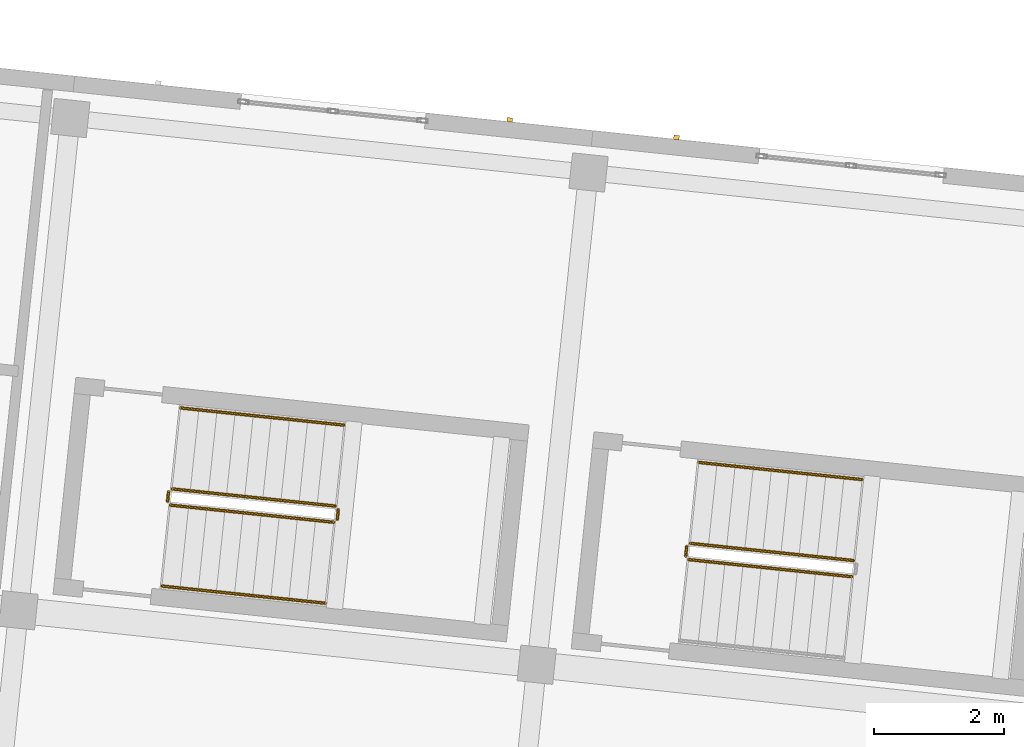
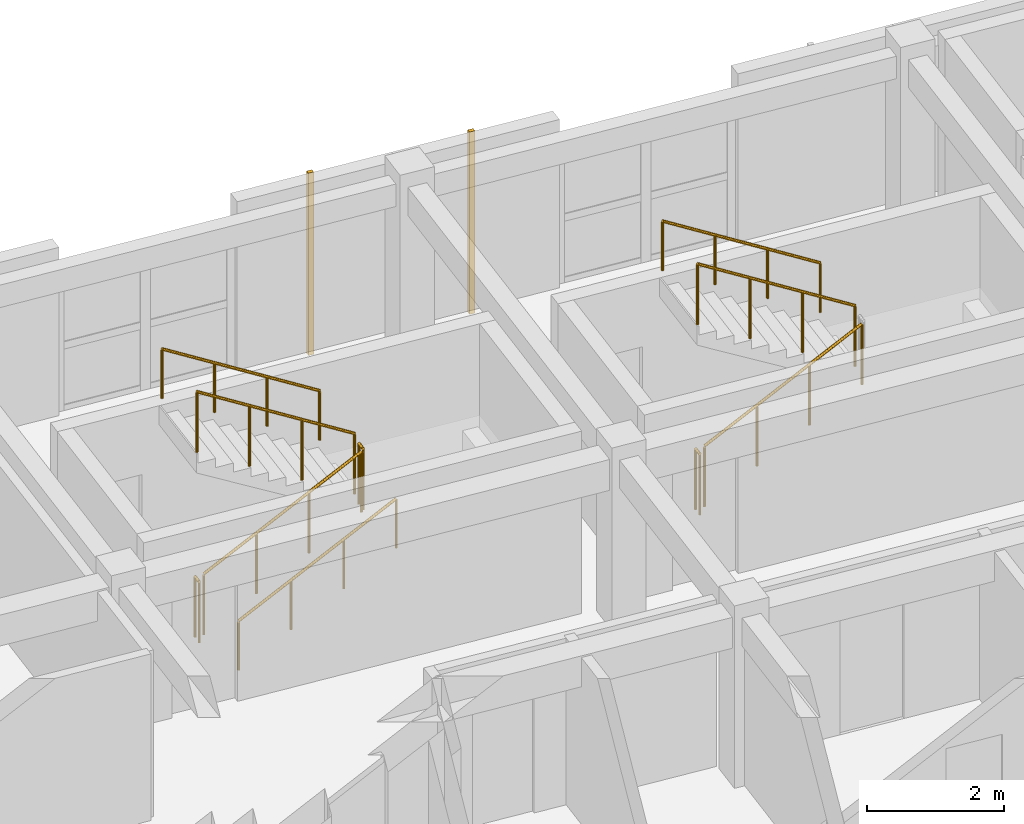
# One storey, part 124 of 127: 10 railings, 2 coverings.
"""IFC4 building model written with IfcOpenShell, lengths in metres."""

from ifc_helpers import new_model, si_unit, direction, frame, origin, origin_2d, place, context, subcontext, project, spatial, rectangle, circle, extrude, material, layer, layer_set, type_object, element, save


model = new_model("IFC4")

# Units and contexts
model_context = context("Model", 3, precision=1e-05, world=origin(), true_north=direction((0.0, 1.0)))
body_context = subcontext(model_context, "Body", "Model", "MODEL_VIEW")
ifc_project = project(units=[si_unit("LENGTHUNIT", "METRE"), si_unit("AREAUNIT", "SQUARE_METRE"), si_unit("VOLUMEUNIT", "CUBIC_METRE"), si_unit("PLANEANGLEUNIT", "RADIAN"), si_unit("MASSUNIT", "GRAM", prefix="KILO")], contexts=[model_context])

# Site, building, storey
site_placement = place(None, origin())
site = spatial("IfcSite", under=ifc_project, at=site_placement, CompositionType="ELEMENT")
building_placement = place(site_placement, origin())
building = spatial("IfcBuilding", under=site, at=building_placement, Name="Kestramere Prow Commons", CompositionType="ELEMENT")
storey_placement = place(building_placement, frame((0.0, 0.0, 8.39990234375)))
storey = spatial("IfcBuildingStorey", under=building, at=storey_placement, Name="L02", CompositionType="ELEMENT", Elevation=8.39990234375)

# Coverings
ifc_material_1 = material(Name="Weathered Zinc-Titanium Standing-Seam Cladding")
ifc_layer = layer(ifc_material_1, 0.074951171875)
ifc_layer_set = layer_set([ifc_layer], Name="Weathered Zinc-Titanium Standing-Seam Cladding")
covering_type = type_object("IfcCoveringType", Name="COV-CLAD-SEAM", PredefinedType="CLADDING", material=ifc_layer_set)
for number, where, z_axis, x_axis, name in (
    (1, (142.663818359375, 111.756103515625, -0.25), (0.0, 0.0, 1.0), (0.994521895368, -0.104528463268, 0.0), "EW-B-L02-NP-3-R Standing-Seam Rib 1"),
    (2, (145.224609375, 111.48681640625, -0.25), (0.0, 0.0, 1.0), (0.994521895368, -0.104528463268, 0.0), "EW-B-L02-NP-4-L Standing-Seam Rib 1"),
):
    element("IfcCovering", number, at=place(storey_placement, frame(where, z_axis=z_axis, x_axis=x_axis)), inside=storey, type_object=covering_type, Name=name, PredefinedType="CLADDING", context=body_context, shape_type="SweptSolid", body=[
        extrude(rectangle(XDim=0.0849609375, YDim=0.06494140625, at=origin_2d()), origin(), (0.0, 0.0, 1.0), 3.25),
    ])

# Railings
ifc_material_2 = material(Name="Galvanised Steel S275JR", Category="steel")
railing_type_1 = type_object("IfcRailingType", Name="RL-ST-GR-1100", PredefinedType="GUARDRAIL", material=ifc_material_2)
railing_1_placement = place(storey_placement, frame((137.454345703125, 105.8408203125, 0.16259765625)))
element("IfcRailing", 3, at=railing_1_placement, inside=storey, type_object=railing_type_1, Name="L02 ST-B1 stair guard 1", PredefinedType="GUARDRAIL", context=body_context, shape_type="SweptSolid", body=[
    extrude(circle(Radius=0.02392578125, at=origin_2d()), frame((0.0, 0.0, 1.076171875), z_axis=(0.860186756994, -0.09040926464, 0.501901293044), x_axis=(0.104528455675, 0.994521896166, 0.0)), (0.0, 0.0, 1.0), 2.913818359375),
    extrude(circle(Radius=0.02099609375, at=origin_2d()), origin(), (0.0, 0.0, 1.0), 1.052001953125),
    extrude(circle(Radius=0.02099609375, at=origin_2d()), frame((0.83544921875, -0.087890625, 0.487548828125)), (0.0, 0.0, 1.0), 1.052001953125),
    extrude(circle(Radius=0.02099609375, at=origin_2d()), frame((1.6708984375, -0.175537109375, 0.974853515625)), (0.0, 0.0, 1.0), 1.052001953125),
    extrude(circle(Radius=0.02099609375, at=origin_2d()), frame((2.50634765625, -0.263427734375, 1.46240234375)), (0.0, 0.0, 1.0), 1.052001953125),
])
railing_2_placement = place(storey_placement, frame((140.015625, 105.621826171875, 1.625)))
element("IfcRailing", 4, at=railing_2_placement, inside=storey, type_object=railing_type_1, Name="L02 ST-B1 stair guard 2", PredefinedType="GUARDRAIL", context=body_context, shape_type="SweptSolid", body=[
    extrude(circle(Radius=0.02392578125, at=origin_2d()), frame((0.0, 0.0, 1.076171875), z_axis=(0.104176375855, 0.994558838236, 0.0), x_axis=(-0.994558838236, 0.104176375855, 0.0)), (0.0, 0.0, 1.0), 0.14990234375),
    extrude(circle(Radius=0.02099609375, at=origin_2d()), origin(), (0.0, 0.0, 1.0), 1.052001953125),
    extrude(circle(Radius=0.02099609375, at=origin_2d()), frame((0.015625, 0.149169921875, 0.0)), (0.0, 0.0, 1.0), 1.052001953125),
])
railing_3_placement = place(storey_placement, frame((139.98681640625, 105.825927734375, 1.78759765625)))
element("IfcRailing", 5, at=railing_3_placement, inside=storey, type_object=railing_type_1, Name="L02 ST-B1 stair guard 3", PredefinedType="GUARDRAIL", context=body_context, shape_type="SweptSolid", body=[
    extrude(circle(Radius=0.02392578125, at=origin_2d()), frame((0.0, 0.0, 1.076171875), z_axis=(-0.860164962675, 0.090415781269, 0.501937469695), x_axis=(-0.104538527394, -0.994520837534, 0.0)), (0.0, 0.0, 1.0), 2.91357421875),
    extrude(circle(Radius=0.02099609375, at=origin_2d()), origin(), (0.0, 0.0, 1.0), 1.052001953125),
    extrude(circle(Radius=0.02099609375, at=origin_2d()), frame((-0.83544921875, 0.087890625, 0.487548828125)), (0.0, 0.0, 1.0), 1.052001953125),
    extrude(circle(Radius=0.02099609375, at=origin_2d()), frame((-1.670654296875, 0.175537109375, 0.974853515625)), (0.0, 0.0, 1.0), 1.052001953125),
    extrude(circle(Radius=0.02099609375, at=origin_2d()), frame((-2.506103515625, 0.263427734375, 1.46240234375)), (0.0, 0.0, 1.0), 1.052001953125),
])
railing_4_placement = place(storey_placement, frame((137.409912109375, 105.895751953125, 0.0)))
element("IfcRailing", 6, at=railing_4_placement, inside=storey, type_object=railing_type_1, Name="L02 ST-B1 stair guard 4", PredefinedType="GUARDRAIL", context=body_context, shape_type="SweptSolid", body=[
    extrude(circle(Radius=0.02392578125, at=origin_2d()), frame((0.0, 0.0, 1.076171875), z_axis=(0.104176375855, 0.994558838236, 0.0), x_axis=(-0.994558838236, 0.104176375855, 0.0)), (0.0, 0.0, 1.0), 0.14990234375),
    extrude(circle(Radius=0.02099609375, at=origin_2d()), origin(), (0.0, 0.0, 1.0), 1.052001953125),
    extrude(circle(Radius=0.02099609375, at=origin_2d()), frame((0.015625, 0.149169921875, 0.0)), (0.0, 0.0, 1.0), 1.052001953125),
])
railing_5_placement = place(storey_placement, frame((145.41064453125, 105.00439453125, 0.16259765625)))
element("IfcRailing", 7, at=railing_5_placement, inside=storey, type_object=railing_type_1, Name="L02 ST-B2 stair guard 1", PredefinedType="GUARDRAIL", context=body_context, shape_type="SweptSolid", body=[
    extrude(circle(Radius=0.02392578125, at=origin_2d()), frame((0.0, 0.0, 1.076171875), z_axis=(0.860164962675, -0.090415781269, 0.501937469695), x_axis=(0.104538527394, 0.994520837534, 0.0)), (0.0, 0.0, 1.0), 2.91357421875),
    extrude(circle(Radius=0.02099609375, at=origin_2d()), origin(), (0.0, 0.0, 1.0), 1.052001953125),
    extrude(circle(Radius=0.02099609375, at=origin_2d()), frame((0.83544921875, -0.087890625, 0.487548828125)), (0.0, 0.0, 1.0), 1.052001953125),
    extrude(circle(Radius=0.02099609375, at=origin_2d()), frame((1.670654296875, -0.175537109375, 0.974853515625)), (0.0, 0.0, 1.0), 1.052001953125),
    extrude(circle(Radius=0.02099609375, at=origin_2d()), frame((2.506103515625, -0.263427734375, 1.46240234375)), (0.0, 0.0, 1.0), 1.052001953125),
])
railing_6_placement = place(storey_placement, frame((147.94287109375, 104.98974609375, 1.78759765625)))
element("IfcRailing", 8, at=railing_6_placement, inside=storey, type_object=railing_type_1, Name="L02 ST-B2 stair guard 3", PredefinedType="GUARDRAIL", context=body_context, shape_type="SweptSolid", body=[
    extrude(circle(Radius=0.02392578125, at=origin_2d()), frame((0.0, 0.0, 1.076171875), z_axis=(-0.860164962675, 0.090415781269, 0.501937469695), x_axis=(-0.104538527394, -0.994520837534, 0.0)), (0.0, 0.0, 1.0), 2.91357421875),
    extrude(circle(Radius=0.02099609375, at=origin_2d()), origin(), (0.0, 0.0, 1.0), 1.052001953125),
    extrude(circle(Radius=0.02099609375, at=origin_2d()), frame((-0.83544921875, 0.087890625, 0.487548828125)), (0.0, 0.0, 1.0), 1.052001953125),
    extrude(circle(Radius=0.02099609375, at=origin_2d()), frame((-1.670654296875, 0.175537109375, 0.974853515625)), (0.0, 0.0, 1.0), 1.052001953125),
    extrude(circle(Radius=0.02099609375, at=origin_2d()), frame((-2.506103515625, 0.263427734375, 1.46240234375)), (0.0, 0.0, 1.0), 1.052001953125),
])
railing_7_placement = place(storey_placement, frame((145.3662109375, 105.059326171875, 0.0)))
element("IfcRailing", 9, at=railing_7_placement, inside=storey, type_object=railing_type_1, Name="L02 ST-B2 stair guard 4", PredefinedType="GUARDRAIL", context=body_context, shape_type="SweptSolid", body=[
    extrude(circle(Radius=0.02392578125, at=origin_2d()), frame((0.0, 0.0, 1.076171875), z_axis=(0.104176375855, 0.994558838236, 0.0), x_axis=(-0.994558838236, 0.104176375855, 0.0)), (0.0, 0.0, 1.0), 0.14990234375),
    extrude(circle(Radius=0.02099609375, at=origin_2d()), origin(), (0.0, 0.0, 1.0), 1.052001953125),
    extrude(circle(Radius=0.02099609375, at=origin_2d()), frame((0.015625, 0.149169921875, 0.0)), (0.0, 0.0, 1.0), 1.052001953125),
])
ifc_material_3 = material(Name="Stainless Steel 304", Category="steel")
railing_type_2 = type_object("IfcRailingType", Name="RL-ST-HR-900", PredefinedType="HANDRAIL", material=ifc_material_3)
railing_8_placement = place(storey_placement, frame((137.32373046875, 104.59765625, 0.3251953125)))
element("IfcRailing", 10, at=railing_8_placement, inside=storey, type_object=railing_type_2, Name="L02 ST-B1 stair handrail 1", PredefinedType="HANDRAIL", context=body_context, shape_type="SweptSolid", body=[
    extrude(circle(Radius=0.02392578125, at=origin_2d()), frame((0.0, 0.0, 0.8759765625), z_axis=(0.860186756994, -0.09040926464, 0.501901293044), x_axis=(0.104528455675, 0.994521896166, 0.0)), (0.0, 0.0, 1.0), 2.913818359375),
    extrude(circle(Radius=0.02099609375, at=origin_2d()), origin(), (0.0, 0.0, 1.0), 0.851806640625),
    extrude(circle(Radius=0.02099609375, at=origin_2d()), frame((0.83544921875, -0.087890625, 0.487548828125)), (0.0, 0.0, 1.0), 0.851806640625),
    extrude(circle(Radius=0.02099609375, at=origin_2d()), frame((1.6708984375, -0.175537109375, 0.974853515625)), (0.0, 0.0, 1.0), 0.851806640625),
    extrude(circle(Radius=0.02099609375, at=origin_2d()), frame((2.50634765625, -0.263427734375, 1.46240234375)), (0.0, 0.0, 1.0), 0.851806640625),
])
railing_9_placement = place(storey_placement, frame((140.117431640625, 107.069091796875, 1.9501953125)))
element("IfcRailing", 11, at=railing_9_placement, inside=storey, type_object=railing_type_2, Name="L02 ST-B1 stair handrail 2", PredefinedType="HANDRAIL", context=body_context, shape_type="SweptSolid", body=[
    extrude(circle(Radius=0.02392578125, at=origin_2d()), frame((0.0, 0.0, 0.8759765625), z_axis=(-0.860164962675, 0.090415781269, 0.501937469695), x_axis=(-0.104538527394, -0.994520837534, 0.0)), (0.0, 0.0, 1.0), 2.91357421875),
    extrude(circle(Radius=0.02099609375, at=origin_2d()), origin(), (0.0, 0.0, 1.0), 0.851806640625),
    extrude(circle(Radius=0.02099609375, at=origin_2d()), frame((-0.83544921875, 0.087890625, 0.487548828125)), (0.0, 0.0, 1.0), 0.851806640625),
    extrude(circle(Radius=0.02099609375, at=origin_2d()), frame((-1.670654296875, 0.175537109375, 0.974853515625)), (0.0, 0.0, 1.0), 0.851806640625),
    extrude(circle(Radius=0.02099609375, at=origin_2d()), frame((-2.506103515625, 0.263427734375, 1.46240234375)), (0.0, 0.0, 1.0), 0.851806640625),
])
railing_10_placement = place(storey_placement, frame((148.07373046875, 106.23291015625, 1.9501953125)))
element("IfcRailing", 12, at=railing_10_placement, inside=storey, type_object=railing_type_2, Name="L02 ST-B2 stair handrail 2", PredefinedType="HANDRAIL", context=body_context, shape_type="SweptSolid", body=[
    extrude(circle(Radius=0.02392578125, at=origin_2d()), frame((0.0, 0.0, 0.8759765625), z_axis=(-0.860186756994, 0.09040926464, 0.501901293044), x_axis=(-0.104528455675, -0.994521896166, 0.0)), (0.0, 0.0, 1.0), 2.913818359375),
    extrude(circle(Radius=0.02099609375, at=origin_2d()), origin(), (0.0, 0.0, 1.0), 0.851806640625),
    extrude(circle(Radius=0.02099609375, at=origin_2d()), frame((-0.83544921875, 0.087890625, 0.487548828125)), (0.0, 0.0, 1.0), 0.851806640625),
    extrude(circle(Radius=0.02099609375, at=origin_2d()), frame((-1.6708984375, 0.175537109375, 0.974853515625)), (0.0, 0.0, 1.0), 0.851806640625),
    extrude(circle(Radius=0.02099609375, at=origin_2d()), frame((-2.50634765625, 0.263427734375, 1.46240234375)), (0.0, 0.0, 1.0), 0.851806640625),
])

save(model, "model.ifc")
